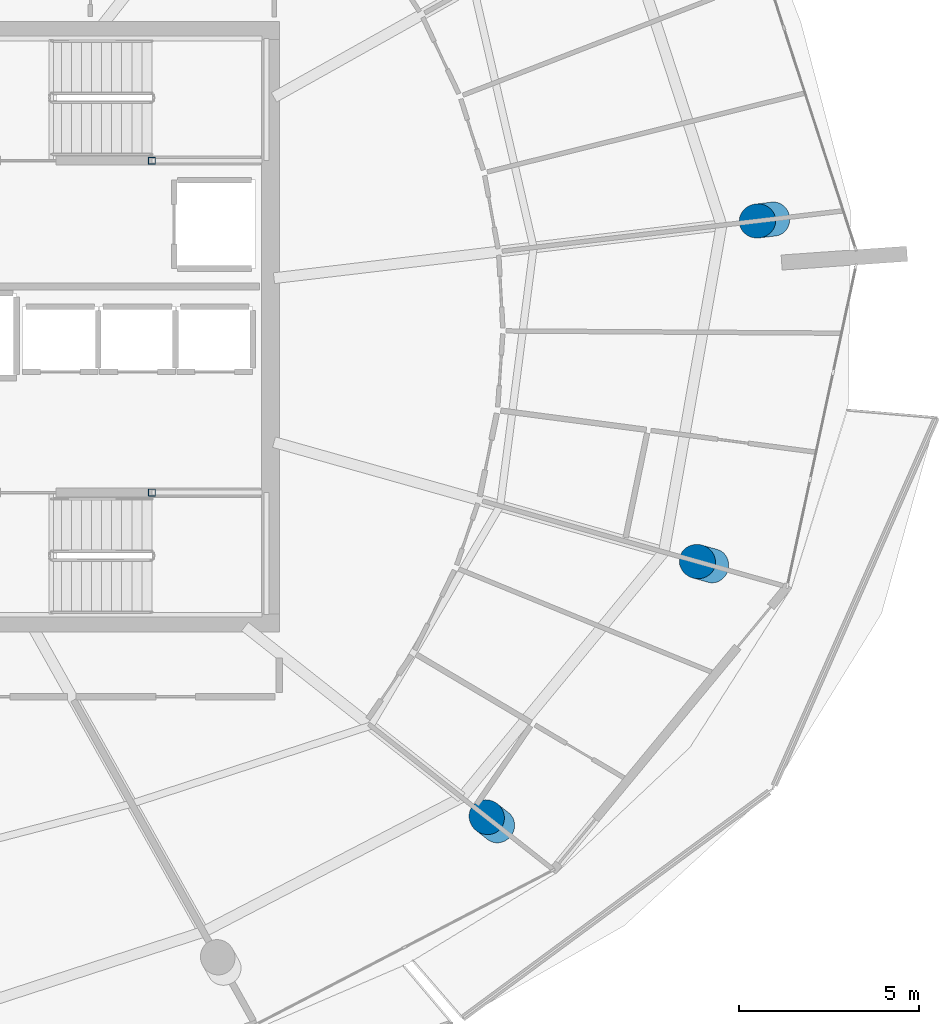
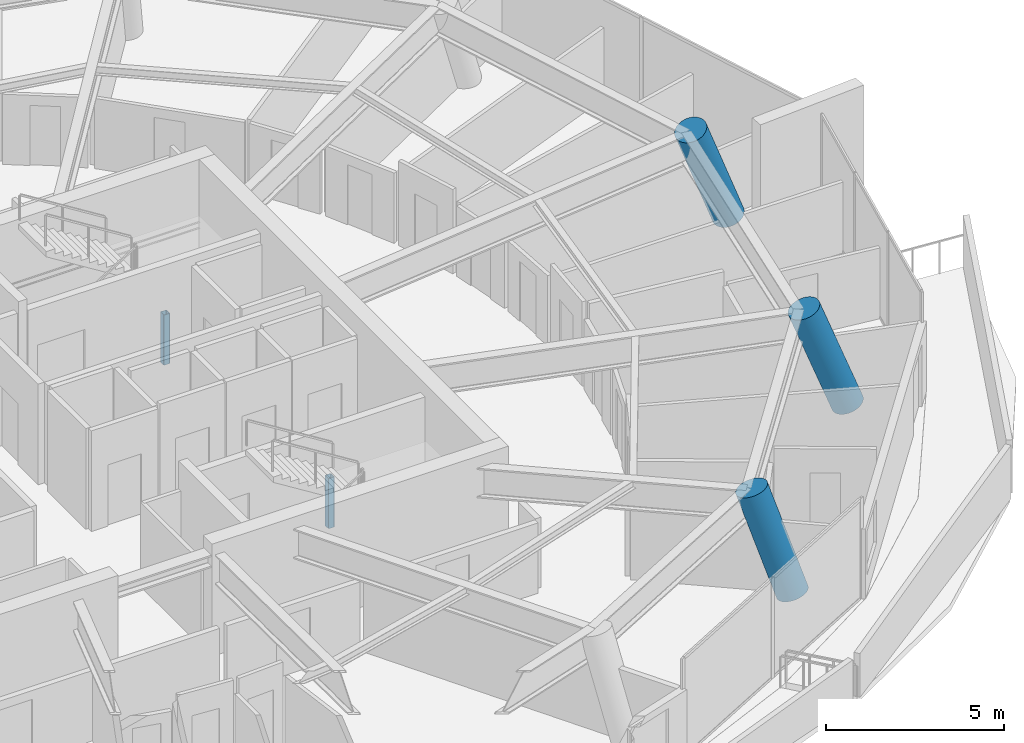
# One storey, part 3 of 24: 5 columns.
"""IFC4 building model written with IfcOpenShell, lengths in metres."""

from ifc_helpers import new_model, si_unit, direction, frame, origin, origin_2d, place, context, subcontext, project, spatial, hollow_rectangle, circle, extrude, material, material_profile, profile_set, type_object, element, save


model = new_model("IFC4")

# Units and contexts
model_context = context("Model", 3, precision=1e-05, world=origin(), true_north=direction((0.0, 1.0)))
body_context = subcontext(model_context, "Body", "Model", "MODEL_VIEW")
ifc_project = project(units=[si_unit("LENGTHUNIT", "METRE"), si_unit("AREAUNIT", "SQUARE_METRE"), si_unit("VOLUMEUNIT", "CUBIC_METRE"), si_unit("PLANEANGLEUNIT", "RADIAN"), si_unit("MASSUNIT", "GRAM", prefix="KILO")], contexts=[model_context])

# Site, building, storey
site_placement = place(None, origin())
site = spatial("IfcSite", under=ifc_project, at=site_placement, CompositionType="ELEMENT")
building_placement = place(site_placement, origin())
building = spatial("IfcBuilding", under=site, at=building_placement, Name="Kazma Halo Residences", CompositionType="ELEMENT")
storey_placement = place(building_placement, frame((0.0, 0.0, 309.85009765625)))
storey = spatial("IfcBuildingStorey", under=building, at=storey_placement, Name="L78", CompositionType="ELEMENT", Elevation=309.85009765625)

# Columns
ifc_material_1 = material(Name="Steel S355", Category="steel")
ifc_material_profile_1 = material_profile(ifc_material_1, hollow_rectangle(XDim=0.199951171875, YDim=0.199951171875, WallThickness=0.010009765625, InnerFilletRadius=0.010009765625, OuterFilletRadius=0.02001953125, at=origin_2d()), Name="SHS200x200x10")
ifc_profile_set_1 = profile_set([ifc_material_profile_1], Name="Steel S355")
column_type_1 = type_object("IfcColumnType", Name="COL-LP-SHS200", PredefinedType="COLUMN", material=ifc_profile_set_1)
for number, where, z_axis, x_axis, name in (
    (1, (56.0, 46.6201171875, 0.0), (0.0, 0.0, 1.0), (1.0, 0.0, 0.0), "L78 ST-02 landing pilaster 1"),
    (2, (56.0, 37.3798828125, 0.0), (0.0, 0.0, 1.0), (1.0, 0.0, 0.0), "L78 ST-03 landing pilaster 1"),
):
    element("IfcColumn", number, at=place(storey_placement, frame(where, z_axis=z_axis, x_axis=x_axis)), inside=storey, type_object=column_type_1, Name=name, PredefinedType="COLUMN", context=body_context, shape_type="SweptSolid", body=[
        extrude(hollow_rectangle(XDim=0.199951171875, YDim=0.199951171875, WallThickness=0.010009765625, InnerFilletRadius=0.010009765625, OuterFilletRadius=0.02001953125, at=origin_2d()), origin(), (0.0, 0.0, 1.0), 1.719970703125),
    ])
ifc_material_2 = material(Name="Concrete C60/75", Category="concrete")
ifc_material_profile_2 = material_profile(ifc_material_2, circle(Radius=0.47509765625, at=origin_2d()), Name="CIRC950")
ifc_profile_set_2 = profile_set([ifc_material_profile_2], Name="Concrete C60/75")
column_type_2 = type_object("IfcColumnType", Name="COL-PERIM-950", PredefinedType="COLUMN", material=ifc_profile_set_2)
column_1_placement = place(storey_placement, frame((65.639892578125, 28.09375, 0.0), z_axis=(-0.249658820182, 0.19685540941, 0.948113084654), x_axis=(-0.619172052223, -0.785255353211, 0.0)))
element("IfcColumn", 3, at=column_1_placement, inside=storey, type_object=column_type_2, Name="L78 perimeter ring column P14", PredefinedType="COLUMN", context=body_context, shape_type="SweptSolid", body=[
    extrude(circle(Radius=0.47509765625, at=origin_2d()), origin(), (0.0, 0.0, 1.0), 3.638671875),
])
column_2_placement = place(storey_placement, frame((71.612548828125, 35.340576171875, 0.0), z_axis=(-0.330987533093, 0.093362273438, 0.939005185734), x_axis=(-0.271478522348, -0.96244449809, 0.0)))
element("IfcColumn", 4, at=column_2_placement, inside=storey, type_object=column_type_2, Name="L78 perimeter ring column P15", PredefinedType="COLUMN", context=body_context, shape_type="SweptSolid", body=[
    extrude(circle(Radius=0.47509765625, at=origin_2d()), origin(), (0.0, 0.0, 1.0), 3.674072265625),
])
column_3_placement = place(storey_placement, frame((73.315185546875, 44.996337890625, 0.0), z_axis=(-0.353185583697, -0.041800241366, 0.934619004349), x_axis=(0.117531776266, -0.993069122251, 0.0)))
element("IfcColumn", 5, at=column_3_placement, inside=storey, type_object=column_type_2, Name="L78 perimeter ring column P16", PredefinedType="COLUMN", context=body_context, shape_type="SweptSolid", body=[
    extrude(circle(Radius=0.47509765625, at=origin_2d()), origin(), (0.0, 0.0, 1.0), 3.69140625),
])

save(model, "model.ifc")
